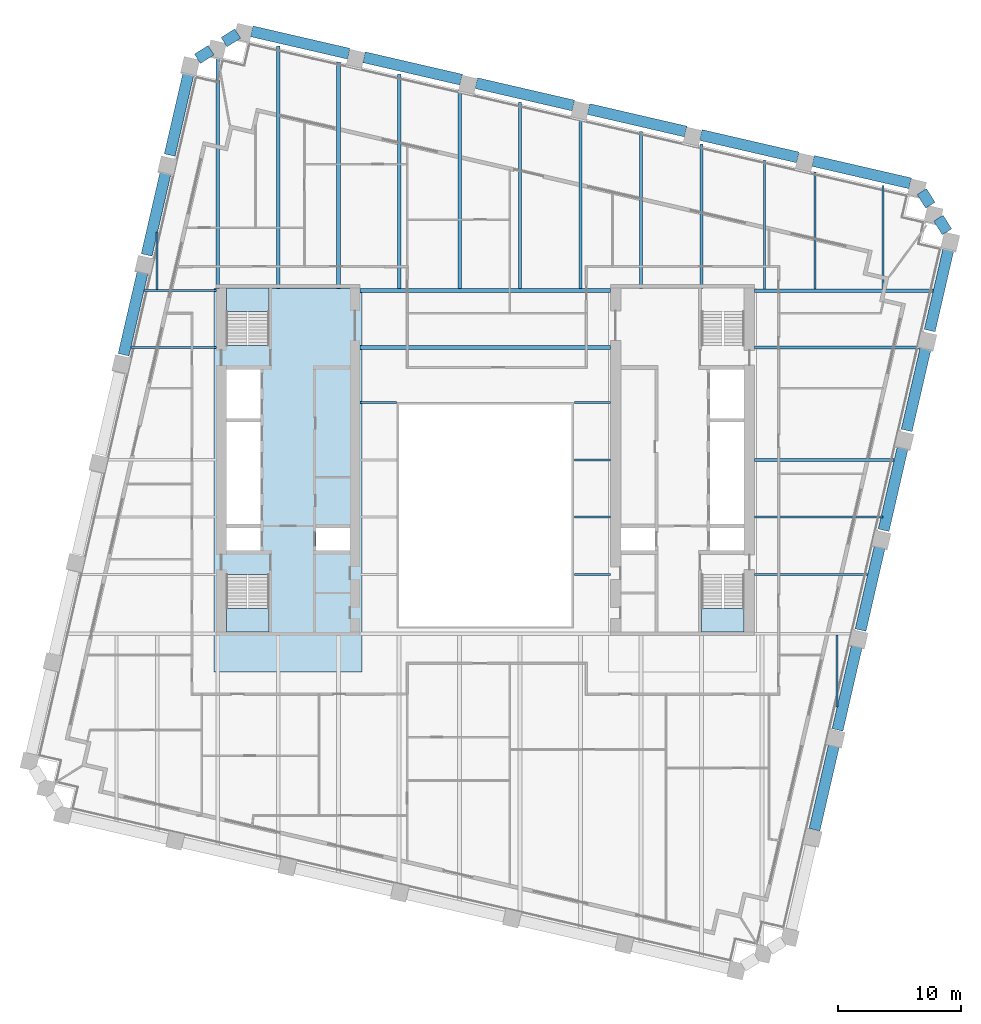
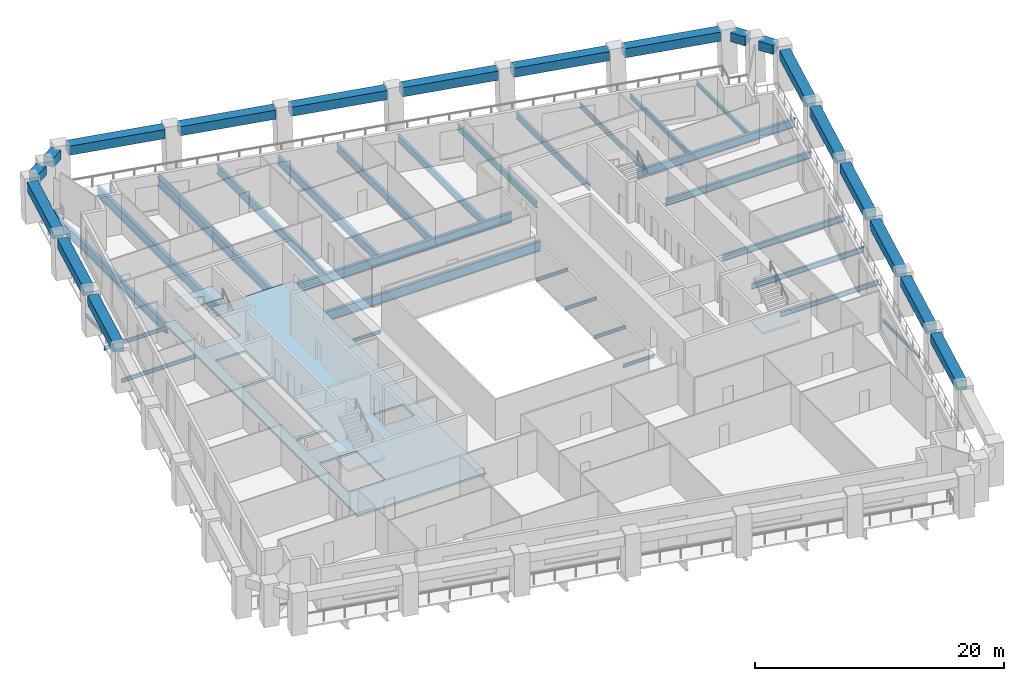
# One storey, part 2 of 11: 47 beams, 4 slabs, 3 elements without a shape of their own.
"""IFC4 building model written with IfcOpenShell, lengths in metres."""

from ifc_helpers import new_model, si_unit, direction, frame, origin, origin_2d, place, context, subcontext, project, spatial, polyline, rectangle, i_section, outline, extrude, material, layer, layer_set, material_profile, profile_set, type_object, element, aggregate, save


model = new_model("IFC4")

# Units and contexts
model_context = context("Model", 3, precision=1e-05, world=origin(), true_north=direction((0.0, 1.0)))
body_context = subcontext(model_context, "Body", "Model", "MODEL_VIEW")
ifc_project = project(units=[si_unit("LENGTHUNIT", "METRE"), si_unit("AREAUNIT", "SQUARE_METRE"), si_unit("VOLUMEUNIT", "CUBIC_METRE"), si_unit("PLANEANGLEUNIT", "RADIAN"), si_unit("MASSUNIT", "GRAM", prefix="KILO")], contexts=[model_context])

# Site, building, storey
site_placement = place(None, origin())
site = spatial("IfcSite", under=ifc_project, at=site_placement, CompositionType="ELEMENT")
building_placement = place(site_placement, origin())
building = spatial("IfcBuilding", under=site, at=building_placement, Name="Ogive Exchange Tower", CompositionType="ELEMENT")
storey_placement = place(building_placement, frame((0.0, 0.0, 135.0)))
storey = spatial("IfcBuildingStorey", under=building, at=storey_placement, Name="L29", CompositionType="ELEMENT", Elevation=135.0)

# Beams
ifc_material_1 = material(Name="Steel ASTM A992 Gr50", Category="steel")
ifc_material_profile_1 = material_profile(ifc_material_1, i_section(OverallWidth=0.300048828125, OverallDepth=0.969970703125, WebThickness=0.01611328125, FlangeThickness=0.02099609375, at=origin_2d()), Name="W1000x222")
ifc_profile_set_1 = profile_set([ifc_material_profile_1], Name="Steel ASTM A992 Gr50")
beam_type_1 = type_object("IfcBeamType", Name="Floor beam W1000x222", PredefinedType="JOIST", material=ifc_profile_set_1)
beam_1_placement = place(storey_placement, frame((-10.169921875, 20.62255859375, -0.68505859375), z_axis=(1.0, 0.0, 0.0), x_axis=(0.0, 1.0, 0.0)))
element("IfcBeam", 1, at=beam_1_placement, inside=storey, type_object=beam_type_1, Name="Floor beam", PredefinedType="JOIST", context=body_context, shape_type="SweptSolid", body=[
    extrude(i_section(OverallWidth=0.300048828125, OverallDepth=0.969970703125, WebThickness=0.01611328125, FlangeThickness=0.02099609375, at=origin_2d()), origin(), (0.0, 0.0, 1.0), 20.33984375),
])
beam_2_placement = place(storey_placement, frame((-16.8125, 25.39990234375, -0.68505859375), z_axis=(0.0, 1.0, 0.0), x_axis=(-1.0, 0.0, 0.0)))
element("IfcBeam", 2, at=beam_2_placement, inside=storey, type_object=beam_type_1, Name="Floor beam", PredefinedType="JOIST", context=body_context, shape_type="SweptSolid", body=[
    extrude(i_section(OverallWidth=0.300048828125, OverallDepth=0.969970703125, WebThickness=0.01611328125, FlangeThickness=0.02099609375, at=origin_2d()), origin(), (0.0, 0.0, 1.0), 19.685302734375),
])
ifc_material_profile_2 = material_profile(ifc_material_1, i_section(OverallWidth=0.1650390625, OverallDepth=0.31005859375, WebThickness=0.005859375, FlangeThickness=0.009765625, at=origin_2d()), Name="W310x38.7")
ifc_profile_set_2 = profile_set([ifc_material_profile_2], Name="Steel ASTM A992 Gr50")
beam_type_2 = type_object("IfcBeamType", Name="Floor beam W310x38.7", PredefinedType="JOIST", material=ifc_profile_set_2)
for number, where, z_axis, x_axis, name in (
    (3, (7.219970703125, 2.208740234375, -0.35498046875), (1.0, 0.0, 0.0), (0.0, 1.0, 0.0), "Floor beam"),
    (4, (7.219970703125, 6.857421875, -0.35498046875), (1.0, 0.0, 0.0), (0.0, 1.0, 0.0), "Floor beam"),
    (5, (7.219970703125, 11.50634765625, -0.35498046875), (1.0, 0.0, 0.0), (0.0, 1.0, 0.0), "Floor beam"),
):
    element("IfcBeam", number, at=place(storey_placement, frame(where, z_axis=z_axis, x_axis=x_axis)), inside=storey, type_object=beam_type_2, Name=name, PredefinedType="JOIST", context=body_context, shape_type="SweptSolid", body=[
        extrude(i_section(OverallWidth=0.1650390625, OverallDepth=0.31005859375, WebThickness=0.005859375, FlangeThickness=0.009765625, at=origin_2d()), origin(), (0.0, 0.0, 1.0), 2.949951171875),
    ])
beam_3_placement = place(storey_placement, frame((28.55029296875, -8.531982421875, -0.35498046875), z_axis=(0.0, 1.0, 0.0), x_axis=(-1.0, 0.0, 0.0)))
element("IfcBeam", 6, at=beam_3_placement, inside=storey, type_object=beam_type_2, Name="Floor beam", PredefinedType="JOIST", context=body_context, shape_type="SweptSolid", body=[
    extrude(i_section(OverallWidth=0.1650390625, OverallDepth=0.31005859375, WebThickness=0.005859375, FlangeThickness=0.009765625, at=origin_2d()), origin(), (0.0, 0.0, 1.0), 5.841552734375),
])
beam_4_placement = place(storey_placement, frame((-26.626220703125, 25.33056640625, -0.35498046875), z_axis=(0.0, 1.0, 0.0), x_axis=(-1.0, 0.0, 0.0)))
element("IfcBeam", 7, at=beam_4_placement, inside=storey, type_object=beam_type_2, Name="Floor beam", PredefinedType="JOIST", context=body_context, shape_type="SweptSolid", body=[
    extrude(i_section(OverallWidth=0.1650390625, OverallDepth=0.31005859375, WebThickness=0.005859375, FlangeThickness=0.009765625, at=origin_2d()), origin(), (0.0, 0.0, 1.0), 4.68505859375),
])
ifc_material_profile_3 = material_profile(ifc_material_1, i_section(OverallWidth=0.1708984375, OverallDepth=0.35595703125, WebThickness=0.00732421875, FlangeThickness=0.01171875, at=origin_2d()), Name="W360x51")
ifc_profile_set_3 = profile_set([ifc_material_profile_3], Name="Steel ASTM A992 Gr50")
beam_type_3 = type_object("IfcBeamType", Name="Floor beam W360x51", PredefinedType="JOIST", material=ifc_profile_set_3)
beam_5_placement = place(storey_placement, frame((-28.76025390625, 20.62255859375, -0.3779296875), z_axis=(1.0, 0.0, 0.0), x_axis=(0.0, 1.0, 0.0)))
element("IfcBeam", 8, at=beam_5_placement, inside=storey, type_object=beam_type_3, Name="Floor beam", PredefinedType="JOIST", context=body_context, shape_type="SweptSolid", body=[
    extrude(i_section(OverallWidth=0.1708984375, OverallDepth=0.35595703125, WebThickness=0.00732421875, FlangeThickness=0.01171875, at=origin_2d()), origin(), (0.0, 0.0, 1.0), 6.93017578125),
])
ifc_material_profile_4 = material_profile(ifc_material_1, i_section(OverallWidth=0.177978515625, OverallDepth=0.406005859375, WebThickness=0.0078125, FlangeThickness=0.0126953125, at=origin_2d()), Name="W410x60")
ifc_profile_set_4 = profile_set([ifc_material_profile_4], Name="Steel ASTM A992 Gr50")
beam_type_4 = type_object("IfcBeamType", Name="Floor beam W410x60", PredefinedType="JOIST", material=ifc_profile_set_4)
beam_6_placement = place(storey_placement, frame((32.257080078125, 25.39111328125, -0.403076171875), z_axis=(0.0, 1.0, 0.0), x_axis=(-1.0, 0.0, 0.0)))
element("IfcBeam", 9, at=beam_6_placement, inside=storey, type_object=beam_type_4, Name="Floor beam", PredefinedType="JOIST", context=body_context, shape_type="SweptSolid", body=[
    extrude(i_section(OverallWidth=0.177978515625, OverallDepth=0.406005859375, WebThickness=0.0078125, FlangeThickness=0.0126953125, at=origin_2d()), origin(), (0.0, 0.0, 1.0), 8.365478515625),
])
ifc_material_profile_5 = material_profile(ifc_material_1, i_section(OverallWidth=0.19091796875, OverallDepth=0.45703125, WebThickness=0.009033203125, FlangeThickness=0.014404296875, at=origin_2d()), Name="W460x74")
ifc_profile_set_5 = profile_set([ifc_material_profile_5], Name="Steel ASTM A992 Gr50")
beam_type_5 = type_object("IfcBeamType", Name="Floor beam W460x74", PredefinedType="JOIST", material=ifc_profile_set_5)
beam_7_placement = place(storey_placement, frame((21.830078125, 2.208740234375, -0.428466796875), z_axis=(1.0, 0.0, 0.0), x_axis=(0.0, 1.0, 0.0)))
element("IfcBeam", 10, at=beam_7_placement, inside=storey, type_object=beam_type_5, Name="Floor beam", PredefinedType="JOIST", context=body_context, shape_type="SweptSolid", body=[
    extrude(i_section(OverallWidth=0.19091796875, OverallDepth=0.45703125, WebThickness=0.009033203125, FlangeThickness=0.014404296875, at=origin_2d()), origin(), (0.0, 0.0, 1.0), 9.199951171875),
])
beam_8_placement = place(storey_placement, frame((26.750244140625, 25.39111328125, -0.428466796875), z_axis=(0.0, 1.0, 0.0), x_axis=(-1.0, 0.0, 0.0)))
element("IfcBeam", 11, at=beam_8_placement, inside=storey, type_object=beam_type_5, Name="Floor beam", PredefinedType="JOIST", context=body_context, shape_type="SweptSolid", body=[
    extrude(i_section(OverallWidth=0.19091796875, OverallDepth=0.45703125, WebThickness=0.009033203125, FlangeThickness=0.014404296875, at=origin_2d()), origin(), (0.0, 0.0, 1.0), 9.48681640625),
])
ifc_material_profile_6 = material_profile(ifc_material_1, i_section(OverallWidth=0.1669921875, OverallDepth=0.535888671875, WebThickness=0.01025390625, FlangeThickness=0.0166015625, at=origin_2d()), Name="W530x85")
ifc_profile_set_6 = profile_set([ifc_material_profile_6], Name="Steel ASTM A992 Gr50")
beam_type_6 = type_object("IfcBeamType", Name="Floor beam W530x85", PredefinedType="JOIST", material=ifc_profile_set_6)
beam_9_placement = place(storey_placement, frame((21.830078125, 6.857421875, -0.468017578125), z_axis=(1.0, 0.0, 0.0), x_axis=(0.0, 1.0, 0.0)))
element("IfcBeam", 12, at=beam_9_placement, inside=storey, type_object=beam_type_6, Name="Floor beam", PredefinedType="JOIST", context=body_context, shape_type="SweptSolid", body=[
    extrude(i_section(OverallWidth=0.1669921875, OverallDepth=0.535888671875, WebThickness=0.01025390625, FlangeThickness=0.0166015625, at=origin_2d()), origin(), (0.0, 0.0, 1.0), 10.423095703125),
])
beam_10_placement = place(storey_placement, frame((22.643310546875, 25.39111328125, -0.468017578125), z_axis=(0.0, 1.0, 0.0), x_axis=(-1.0, 0.0, 0.0)))
element("IfcBeam", 13, at=beam_10_placement, inside=storey, type_object=beam_type_6, Name="Floor beam", PredefinedType="JOIST", context=body_context, shape_type="SweptSolid", body=[
    extrude(i_section(OverallWidth=0.1669921875, OverallDepth=0.535888671875, WebThickness=0.01025390625, FlangeThickness=0.0166015625, at=origin_2d()), origin(), (0.0, 0.0, 1.0), 10.43505859375),
])
ifc_material_profile_7 = material_profile(ifc_material_1, i_section(OverallWidth=0.22802734375, OverallDepth=0.60205078125, WebThickness=0.010498046875, FlangeThickness=0.014892578125, at=origin_2d()), Name="W610x101")
ifc_profile_set_7 = profile_set([ifc_material_profile_7], Name="Steel ASTM A992 Gr50")
beam_type_7 = type_object("IfcBeamType", Name="Floor beam W610x101", PredefinedType="JOIST", material=ifc_profile_set_7)
beam_11_placement = place(storey_placement, frame((21.830078125, 11.50634765625, -0.5009765625), z_axis=(1.0, 0.0, 0.0), x_axis=(0.0, 1.0, 0.0)))
element("IfcBeam", 14, at=beam_11_placement, inside=storey, type_object=beam_type_7, Name="Floor beam", PredefinedType="JOIST", context=body_context, shape_type="SweptSolid", body=[
    extrude(i_section(OverallWidth=0.22802734375, OverallDepth=0.60205078125, WebThickness=0.010498046875, FlangeThickness=0.014892578125, at=origin_2d()), origin(), (0.0, 0.0, 1.0), 11.346435546875),
])
beam_12_placement = place(storey_placement, frame((17.536376953125, 25.39990234375, -0.5009765625), z_axis=(0.0, 1.0, 0.0), x_axis=(-1.0, 0.0, 0.0)))
element("IfcBeam", 15, at=beam_12_placement, inside=storey, type_object=beam_type_7, Name="Floor beam", PredefinedType="JOIST", context=body_context, shape_type="SweptSolid", body=[
    extrude(i_section(OverallWidth=0.22802734375, OverallDepth=0.60205078125, WebThickness=0.010498046875, FlangeThickness=0.014892578125, at=origin_2d()), origin(), (0.0, 0.0, 1.0), 11.75537109375),
])
ifc_material_profile_8 = material_profile(ifc_material_1, i_section(OverallWidth=0.22900390625, OverallDepth=0.612060546875, WebThickness=0.011962890625, FlangeThickness=0.01953125, at=origin_2d()), Name="W610x125")
ifc_profile_set_8 = profile_set([ifc_material_profile_8], Name="Steel ASTM A992 Gr50")
beam_type_8 = type_object("IfcBeamType", Name="Floor beam W610x125", PredefinedType="JOIST", material=ifc_profile_set_8)
beam_13_placement = place(storey_placement, frame((12.62939453125, 25.39990234375, -0.506103515625), z_axis=(0.0, 1.0, 0.0), x_axis=(-1.0, 0.0, 0.0)))
element("IfcBeam", 16, at=beam_13_placement, inside=storey, type_object=beam_type_8, Name="Floor beam", PredefinedType="JOIST", context=body_context, shape_type="SweptSolid", body=[
    extrude(i_section(OverallWidth=0.22900390625, OverallDepth=0.612060546875, WebThickness=0.011962890625, FlangeThickness=0.01953125, at=origin_2d()), origin(), (0.0, 0.0, 1.0), 12.73828125),
])
ifc_material_profile_9 = material_profile(ifc_material_1, i_section(OverallWidth=0.25390625, OverallDepth=0.677978515625, WebThickness=0.01171875, FlangeThickness=0.016357421875, at=origin_2d()), Name="W690x125")
ifc_profile_set_9 = profile_set([ifc_material_profile_9], Name="Steel ASTM A992 Gr50")
beam_type_9 = type_object("IfcBeamType", Name="Floor beam W690x125", PredefinedType="JOIST", material=ifc_profile_set_9)
beam_14_placement = place(storey_placement, frame((21.830078125, 20.62255859375, -0.5390625), z_axis=(1.0, 0.0, 0.0), x_axis=(0.0, 1.0, 0.0)))
element("IfcBeam", 17, at=beam_14_placement, inside=storey, type_object=beam_type_9, Name="Floor beam", PredefinedType="JOIST", context=body_context, shape_type="SweptSolid", body=[
    extrude(i_section(OverallWidth=0.25390625, OverallDepth=0.677978515625, WebThickness=0.01171875, FlangeThickness=0.016357421875, at=origin_2d()), origin(), (0.0, 0.0, 1.0), 13.450927734375),
])
beam_15_placement = place(storey_placement, frame((7.722412109375, 25.39501953125, -0.5390625), z_axis=(0.0, 1.0, 0.0), x_axis=(-1.0, 0.0, 0.0)))
element("IfcBeam", 18, at=beam_15_placement, inside=storey, type_object=beam_type_9, Name="Floor beam", PredefinedType="JOIST", context=body_context, shape_type="SweptSolid", body=[
    extrude(i_section(OverallWidth=0.25390625, OverallDepth=0.677978515625, WebThickness=0.01171875, FlangeThickness=0.016357421875, at=origin_2d()), origin(), (0.0, 0.0, 1.0), 13.8759765625),
])
ifc_material_profile_10 = material_profile(ifc_material_1, i_section(OverallWidth=0.26708984375, OverallDepth=0.75390625, WebThickness=0.01318359375, FlangeThickness=0.01708984375, at=origin_2d()), Name="W760x147")
ifc_profile_set_10 = profile_set([ifc_material_profile_10], Name="Steel ASTM A992 Gr50")
beam_type_10 = type_object("IfcBeamType", Name="Floor beam W760x147", PredefinedType="JOIST", material=ifc_profile_set_10)
beam_16_placement = place(storey_placement, frame((2.8154296875, 25.39501953125, -0.576904296875), z_axis=(0.0, 1.0, 0.0), x_axis=(-1.0, 0.0, 0.0)))
element("IfcBeam", 19, at=beam_16_placement, inside=storey, type_object=beam_type_10, Name="Floor beam", PredefinedType="JOIST", context=body_context, shape_type="SweptSolid", body=[
    extrude(i_section(OverallWidth=0.26708984375, OverallDepth=0.75390625, WebThickness=0.01318359375, FlangeThickness=0.01708984375, at=origin_2d()), origin(), (0.0, 0.0, 1.0), 15.15869140625),
])
ifc_material_profile_11 = material_profile(ifc_material_1, i_section(OverallWidth=0.2919921875, OverallDepth=0.8359375, WebThickness=0.013916015625, FlangeThickness=0.018798828125, at=origin_2d()), Name="W840x176")
ifc_profile_set_11 = profile_set([ifc_material_profile_11], Name="Steel ASTM A992 Gr50")
beam_type_11 = type_object("IfcBeamType", Name="Floor beam W840x176", PredefinedType="JOIST", material=ifc_profile_set_11)
beam_17_placement = place(storey_placement, frame((-6.99853515625, 25.39501953125, -0.617919921875), z_axis=(0.0, 1.0, 0.0), x_axis=(-1.0, 0.0, 0.0)))
element("IfcBeam", 20, at=beam_17_placement, inside=storey, type_object=beam_type_11, Name="Floor beam", PredefinedType="JOIST", context=body_context, shape_type="SweptSolid", body=[
    extrude(i_section(OverallWidth=0.2919921875, OverallDepth=0.8359375, WebThickness=0.013916015625, FlangeThickness=0.018798828125, at=origin_2d()), origin(), (0.0, 0.0, 1.0), 17.424560546875),
])
beam_18_placement = place(storey_placement, frame((-2.091552734375, 25.39501953125, -0.617919921875), z_axis=(0.0, 1.0, 0.0), x_axis=(-1.0, 0.0, 0.0)))
element("IfcBeam", 21, at=beam_18_placement, inside=storey, type_object=beam_type_11, Name="Floor beam", PredefinedType="JOIST", context=body_context, shape_type="SweptSolid", body=[
    extrude(i_section(OverallWidth=0.2919921875, OverallDepth=0.8359375, WebThickness=0.013916015625, FlangeThickness=0.018798828125, at=origin_2d()), origin(), (0.0, 0.0, 1.0), 16.1416015625),
])
ifc_material_profile_12 = material_profile(ifc_material_1, i_section(OverallWidth=0.304931640625, OverallDepth=0.904052734375, WebThickness=0.01513671875, FlangeThickness=0.02001953125, at=origin_2d()), Name="W920x201")
ifc_profile_set_12 = profile_set([ifc_material_profile_12], Name="Steel ASTM A992 Gr50")
beam_type_12 = type_object("IfcBeamType", Name="Floor beam W920x201", PredefinedType="JOIST", material=ifc_profile_set_12)
beam_19_placement = place(storey_placement, frame((-21.719482421875, 25.39990234375, -0.652099609375), z_axis=(0.0, 1.0, 0.0), x_axis=(-1.0, 0.0, 0.0)))
element("IfcBeam", 22, at=beam_19_placement, inside=storey, type_object=beam_type_12, Name="Floor beam", PredefinedType="JOIST", context=body_context, shape_type="SweptSolid", body=[
    extrude(i_section(OverallWidth=0.304931640625, OverallDepth=0.904052734375, WebThickness=0.01513671875, FlangeThickness=0.02001953125, at=origin_2d()), origin(), (0.0, 0.0, 1.0), 18.765625),
])
beam_20_placement = place(storey_placement, frame((-11.905517578125, 25.39990234375, -0.652099609375), z_axis=(0.0, 1.0, 0.0), x_axis=(-1.0, 0.0, 0.0)))
element("IfcBeam", 23, at=beam_20_placement, inside=storey, type_object=beam_type_12, Name="Floor beam", PredefinedType="JOIST", context=body_context, shape_type="SweptSolid", body=[
    extrude(i_section(OverallWidth=0.304931640625, OverallDepth=0.904052734375, WebThickness=0.01513671875, FlangeThickness=0.02001953125, at=origin_2d()), origin(), (0.0, 0.0, 1.0), 18.402587890625),
])
ifc_material_profile_13 = material_profile(ifc_material_1, i_section(OverallWidth=0.300048828125, OverallDepth=0.97998046875, WebThickness=0.0166015625, FlangeThickness=0.026123046875, at=origin_2d()), Name="W1000x249")
ifc_profile_set_13 = profile_set([ifc_material_profile_13], Name="Steel ASTM A992 Gr50")
beam_type_13 = type_object("IfcBeamType", Name="Girder W1000x249", PredefinedType="BEAM", material=ifc_profile_set_13)
beam_21_placement = place(storey_placement, frame((-10.169921875, 25.2451171875, -0.68994140625), z_axis=(1.0, 0.0, 0.0), x_axis=(0.0, 1.0, 0.0)))
element("IfcBeam", 24, at=beam_21_placement, inside=storey, type_object=beam_type_13, Name="Header girder", PredefinedType="BEAM", context=body_context, shape_type="SweptSolid", body=[
    extrude(i_section(OverallWidth=0.300048828125, OverallDepth=0.97998046875, WebThickness=0.0166015625, FlangeThickness=0.026123046875, at=origin_2d()), origin(), (0.0, 0.0, 1.0), 20.33984375),
])
ifc_material_profile_14 = material_profile(ifc_material_1, i_section(OverallWidth=0.1650390625, OverallDepth=0.31005859375, WebThickness=0.005859375, FlangeThickness=0.009765625, at=origin_2d()), Name="W310x38.7")
ifc_profile_set_14 = profile_set([ifc_material_profile_14], Name="Steel ASTM A992 Gr50")
beam_type_14 = type_object("IfcBeamType", Name="Girder W310x38.7", PredefinedType="BEAM", material=ifc_profile_set_14)
for number, where, z_axis, x_axis, name in (
    (25, (-10.169921875, 16.155029296875, -0.35498046875), (1.0, 0.0, 0.0), (0.0, 1.0, 0.0), "Trimmer girder"),
    (26, (7.219970703125, 16.155029296875, -0.35498046875), (1.0, 0.0, 0.0), (0.0, 1.0, 0.0), "Trimmer girder"),
):
    element("IfcBeam", number, at=place(storey_placement, frame(where, z_axis=z_axis, x_axis=x_axis)), inside=storey, type_object=beam_type_14, Name=name, PredefinedType="BEAM", context=body_context, shape_type="SweptSolid", body=[
        extrude(i_section(OverallWidth=0.1650390625, OverallDepth=0.31005859375, WebThickness=0.005859375, FlangeThickness=0.009765625, at=origin_2d()), origin(), (0.0, 0.0, 1.0), 2.949951171875),
    ])
ifc_material_profile_15 = material_profile(ifc_material_1, i_section(OverallWidth=0.1708984375, OverallDepth=0.35595703125, WebThickness=0.00732421875, FlangeThickness=0.01171875, at=origin_2d()), Name="W360x51")
ifc_profile_set_15 = profile_set([ifc_material_profile_15], Name="Steel ASTM A992 Gr50")
beam_type_15 = type_object("IfcBeamType", Name="Girder W360x51", PredefinedType="BEAM", material=ifc_profile_set_15)
beam_22_placement = place(storey_placement, frame((-27.693115234375, 25.2451171875, -0.3779296875), z_axis=(1.0, 0.0, 0.0), x_axis=(0.0, 1.0, 0.0)))
element("IfcBeam", 27, at=beam_22_placement, inside=storey, type_object=beam_type_15, Name="Header girder", PredefinedType="BEAM", context=body_context, shape_type="SweptSolid", body=[
    extrude(i_section(OverallWidth=0.1708984375, OverallDepth=0.35595703125, WebThickness=0.00732421875, FlangeThickness=0.01171875, at=origin_2d()), origin(), (0.0, 0.0, 1.0), 5.863037109375),
])
ifc_material_profile_16 = material_profile(ifc_material_1, i_section(OverallWidth=0.2919921875, OverallDepth=0.8359375, WebThickness=0.013916015625, FlangeThickness=0.018798828125, at=origin_2d()), Name="W840x176")
ifc_profile_set_16 = profile_set([ifc_material_profile_16], Name="Steel ASTM A992 Gr50")
beam_type_16 = type_object("IfcBeamType", Name="Girder W840x176", PredefinedType="BEAM", material=ifc_profile_set_16)
beam_23_placement = place(storey_placement, frame((21.830078125, 25.2451171875, -0.617919921875), z_axis=(1.0, 0.0, 0.0), x_axis=(0.0, 1.0, 0.0)))
element("IfcBeam", 28, at=beam_23_placement, inside=storey, type_object=beam_type_16, Name="Header girder", PredefinedType="BEAM", context=body_context, shape_type="SweptSolid", body=[
    extrude(i_section(OverallWidth=0.2919921875, OverallDepth=0.8359375, WebThickness=0.013916015625, FlangeThickness=0.018798828125, at=origin_2d()), origin(), (0.0, 0.0, 1.0), 14.668212890625),
])
ifc_material_2 = material(Name="Precast concrete C70/85 (limestone faced)", Category="masonry")
ifc_material_profile_17 = material_profile(ifc_material_2, rectangle(XDim=0.89990234375, YDim=0.89990234375, at=origin_2d()), Name="900 x 900")
ifc_profile_set_17 = profile_set([ifc_material_profile_17], Name="Precast concrete C70/85 (limestone faced)")
beam_type_17 = type_object("IfcBeamType", Name="Precast spandrel 900 x 900 C70/85", PredefinedType="SPANDREL", material=ifc_profile_set_17)
beam_24_placement = place(storey_placement, frame((26.709716796875, -18.5048828125, 3.5), z_axis=(0.224930281577, 0.974374860323, 0.0), x_axis=(-0.974374860323, 0.224930281577, 0.0)))
element("IfcBeam", 29, at=beam_24_placement, inside=storey, type_object=beam_type_17, Name="Spandrel 10", PredefinedType="SPANDREL", context=body_context, shape_type="SweptSolid", body=[
    extrude(rectangle(XDim=0.89990234375, YDim=0.89990234375, at=origin_2d()), origin(), (0.0, 0.0, 1.0), 7.053955078125),
])
beam_25_placement = place(storey_placement, frame((28.580078125, -10.40380859375, 3.5), z_axis=(0.224955554045, 0.974369025936, 0.0), x_axis=(-0.974369025936, 0.224955554045, 0.0)))
element("IfcBeam", 30, at=beam_25_placement, inside=storey, type_object=beam_type_17, Name="Spandrel 11", PredefinedType="SPANDREL", context=body_context, shape_type="SweptSolid", body=[
    extrude(rectangle(XDim=0.89990234375, YDim=0.89990234375, at=origin_2d()), origin(), (0.0, 0.0, 1.0), 7.054443359375),
])
beam_26_placement = place(storey_placement, frame((30.4501953125, -2.302490234375, 3.5), z_axis=(0.224963140132, 0.974367274482, 0.0), x_axis=(-0.974367274482, 0.224963140132, 0.0)))
element("IfcBeam", 31, at=beam_26_placement, inside=storey, type_object=beam_type_17, Name="Spandrel 12", PredefinedType="SPANDREL", context=body_context, shape_type="SweptSolid", body=[
    extrude(rectangle(XDim=0.89990234375, YDim=0.89990234375, at=origin_2d()), origin(), (0.0, 0.0, 1.0), 7.05419921875),
])
beam_27_placement = place(storey_placement, frame((32.320556640625, 5.798583984375, 3.5), z_axis=(0.224955554045, 0.974369025936, 0.0), x_axis=(-0.974369025936, 0.224955554045, 0.0)))
element("IfcBeam", 32, at=beam_27_placement, inside=storey, type_object=beam_type_17, Name="Spandrel 13", PredefinedType="SPANDREL", context=body_context, shape_type="SweptSolid", body=[
    extrude(rectangle(XDim=0.89990234375, YDim=0.89990234375, at=origin_2d()), origin(), (0.0, 0.0, 1.0), 7.054443359375),
])
beam_28_placement = place(storey_placement, frame((34.19091796875, 13.89990234375, 3.5), z_axis=(0.224963140132, 0.974367274482, 0.0), x_axis=(-0.974367274482, 0.224963140132, 0.0)))
element("IfcBeam", 33, at=beam_28_placement, inside=storey, type_object=beam_type_17, Name="Spandrel 14", PredefinedType="SPANDREL", context=body_context, shape_type="SweptSolid", body=[
    extrude(rectangle(XDim=0.89990234375, YDim=0.89990234375, at=origin_2d()), origin(), (0.0, 0.0, 1.0), 7.05419921875),
])
beam_29_placement = place(storey_placement, frame((36.061279296875, 22.0009765625, 3.5), z_axis=(0.224955554045, 0.974369025936, 0.0), x_axis=(-0.974369025936, 0.224955554045, 0.0)))
element("IfcBeam", 34, at=beam_29_placement, inside=storey, type_object=beam_type_17, Name="Spandrel 15", PredefinedType="SPANDREL", context=body_context, shape_type="SweptSolid", body=[
    extrude(rectangle(XDim=0.89990234375, YDim=0.89990234375, at=origin_2d()), origin(), (0.0, 0.0, 1.0), 7.054443359375),
])
for number, where, z_axis, x_axis, name in (
    (35, (37.461669921875, 30.013427734375, 3.5), (-0.529847842077, 0.848092721491, 0.0), (-0.848092721491, -0.529847842077, 0.0), "Spandrel 16"),
    (36, (36.11279296875, 32.17236328125, 3.5), (-0.530066093226, 0.847956329543, 0.0), (-0.847956329543, -0.530066093226, 0.0), "Spandrel 17"),
):
    element("IfcBeam", number, at=place(storey_placement, frame(where, z_axis=z_axis, x_axis=x_axis)), inside=storey, type_object=beam_type_17, Name=name, PredefinedType="SPANDREL", context=body_context, shape_type="SweptSolid", body=[
        extrude(rectangle(XDim=0.89990234375, YDim=0.89990234375, at=origin_2d()), origin(), (0.0, 0.0, 1.0), 1.30712890625),
    ])
for number, where, z_axis, x_axis, name in (
    (37, (34.47802734375, 33.947509765625, 3.5), (-0.974363722868, 0.224978522439, 0.0), (-0.224978522439, -0.974363722868, 0.0), "Spandrel 18"),
    (38, (25.36767578125, 36.05078125, 3.5), (-0.974363722868, 0.224978522439, 0.0), (-0.224978522439, -0.974363722868, 0.0), "Spandrel 19"),
    (39, (16.25732421875, 38.154296875, 3.5), (-0.974370337884, 0.224949871421, 0.0), (-0.224949871421, -0.974370337884, 0.0), "Spandrel 20"),
    (40, (7.14697265625, 40.257568359375, 3.5), (-0.974370337884, 0.224949871421, 0.0), (-0.224949871421, -0.974370337884, 0.0), "Spandrel 21"),
):
    element("IfcBeam", number, at=place(storey_placement, frame(where, z_axis=z_axis, x_axis=x_axis)), inside=storey, type_object=beam_type_17, Name=name, PredefinedType="SPANDREL", context=body_context, shape_type="SweptSolid", body=[
        extrude(rectangle(XDim=0.89990234375, YDim=0.89990234375, at=origin_2d()), origin(), (0.0, 0.0, 1.0), 8.08984375),
    ])
beam_30_placement = place(storey_placement, frame((-1.96337890625, 42.36083984375, 3.5), z_axis=(-0.974371864918, 0.224943256972, 0.0), x_axis=(-0.224943256972, -0.974371864918, 0.0)))
element("IfcBeam", 41, at=beam_30_placement, inside=storey, type_object=beam_type_17, Name="Spandrel 22", PredefinedType="SPANDREL", context=body_context, shape_type="SweptSolid", body=[
    extrude(rectangle(XDim=0.89990234375, YDim=0.89990234375, at=origin_2d()), origin(), (0.0, 0.0, 1.0), 8.090087890625),
])
beam_31_placement = place(storey_placement, frame((-11.07373046875, 44.464111328125, 3.5), z_axis=(-0.974370337884, 0.224949871421, 0.0), x_axis=(-0.224949871421, -0.974370337884, 0.0)))
element("IfcBeam", 42, at=beam_31_placement, inside=storey, type_object=beam_type_17, Name="Spandrel 23", PredefinedType="SPANDREL", context=body_context, shape_type="SweptSolid", body=[
    extrude(rectangle(XDim=0.89990234375, YDim=0.89990234375, at=origin_2d()), origin(), (0.0, 0.0, 1.0), 8.08984375),
])
for number, where, z_axis, x_axis, name in (
    (43, (-20.095458984375, 46.097412109375, 3.5), (-0.848040277303, -0.529931776808, 0.0), (0.529931776808, -0.848040277303, 0.0), "Spandrel 24"),
    (44, (-22.254150390625, 44.74853515625, 3.5), (-0.848092721491, -0.529847842077, 0.0), (0.529847842077, -0.848092721491, 0.0), "Spandrel 25"),
):
    element("IfcBeam", number, at=place(storey_placement, frame(where, z_axis=z_axis, x_axis=x_axis)), inside=storey, type_object=beam_type_17, Name=name, PredefinedType="SPANDREL", context=body_context, shape_type="SweptSolid", body=[
        extrude(rectangle(XDim=0.89990234375, YDim=0.89990234375, at=origin_2d()), origin(), (0.0, 0.0, 1.0), 1.30712890625),
    ])
for number, where, z_axis, x_axis, name in (
    (45, (-24.029541015625, 43.114013671875, 3.5), (-0.224955554045, -0.974369025936, 0.0), (0.974369025936, -0.224955554045, 0.0), "Spandrel 26"),
    (46, (-25.89990234375, 35.0126953125, 3.5), (-0.224955554045, -0.974369025936, 0.0), (0.974369025936, -0.224955554045, 0.0), "Spandrel 27"),
):
    element("IfcBeam", number, at=place(storey_placement, frame(where, z_axis=z_axis, x_axis=x_axis)), inside=storey, type_object=beam_type_17, Name=name, PredefinedType="SPANDREL", context=body_context, shape_type="SweptSolid", body=[
        extrude(rectangle(XDim=0.89990234375, YDim=0.89990234375, at=origin_2d()), origin(), (0.0, 0.0, 1.0), 7.054443359375),
    ])
beam_32_placement = place(storey_placement, frame((-27.770263671875, 26.91162109375, 3.5), z_axis=(-0.22492269648, -0.974376611279, 0.0), x_axis=(0.974376611279, -0.22492269648, 0.0)))
element("IfcBeam", 47, at=beam_32_placement, inside=storey, type_object=beam_type_17, Name="Spandrel 28", PredefinedType="SPANDREL", context=body_context, shape_type="SweptSolid", body=[
    extrude(rectangle(XDim=0.89990234375, YDim=0.89990234375, at=origin_2d()), origin(), (0.0, 0.0, 1.0), 7.05419921875),
])

# Slab
ifc_material_3 = material(Name="Concrete C70/85", Category="concrete")
ifc_layer_1 = layer(ifc_material_3, 0.199951171875)
ifc_layer_set_1 = layer_set([ifc_layer_1], Name="Core floor slab 200")
slab_type_1 = type_object("IfcSlabType", Name="Core floor slab 200", PredefinedType="FLOOR", material=ifc_layer_set_1)
slab_1_placement = place(storey_placement, frame((0.0, 0.0, -0.199951171875)))
element("IfcSlab", 48, at=slab_1_placement, inside=storey, type_object=slab_type_1, Name="Core floor slab", PredefinedType="FLOOR", context=body_context, shape_type="SweptSolid", body=[
    extrude(outline(polyline([(-10.0, 25.39990234375), (-10.0, -5.699951171875), (-22.0, -5.699951171875), (-22.0, 25.39990234375), (-21.0, 25.39990234375), (-21.0, 20.803955078125), (-17.550048828125, 20.803955078125), (-17.550048828125, 25.39990234375), (-10.0, 25.39990234375)]), holes=[polyline([(-17.550048828125, 2.196044921875), (-21.0, 2.196044921875), (-21.0, -2.449951171875), (-17.550048828125, -2.449951171875), (-17.550048828125, 2.196044921875)]), polyline([(-18.25, 5.992919921875), (-21.0, 5.992919921875), (-21.0, 4.14990234375), (-18.25, 4.14990234375), (-18.25, 5.992919921875)]), polyline([(-11.0, 5.992919921875), (-13.75, 5.992919921875), (-13.75, 4.14990234375), (-11.0, 4.14990234375), (-11.0, 5.992919921875)]), polyline([(-21.0, 14.564208984375), (-21.0, 6.29296875), (-18.25, 6.29296875), (-18.25, 14.564208984375), (-21.0, 14.564208984375)]), polyline([(-18.25, 18.85009765625), (-21.0, 18.85009765625), (-21.0, 14.8642578125), (-18.25, 14.8642578125), (-18.25, 18.85009765625)])]), origin(), (0.0, 0.0, 1.0), 0.199951171875),
])

# Stair, slab
ifc_material_4 = material(Name="Concrete C40/50", Category="concrete")
stair_type = type_object("IfcStairType", Name="Exit stair 1650 wide", PredefinedType="HALF_TURN_STAIR", material=ifc_material_4)
stair_1_placement = place(storey_placement, origin())
stair_1 = element("IfcStair", 49, at=stair_1_placement, inside=storey, type_object=stair_type, Name="L29 exit stair ST1", PredefinedType="HALF_TURN_STAIR")
ifc_layer_2 = layer(ifc_material_4, 0.199951171875)
ifc_layer_set_2 = layer_set([ifc_layer_2], Name="Stair landing 200 slab")
slab_type_2 = type_object("IfcSlabType", Name="Stair landing 200 slab", PredefinedType="LANDING", material=ifc_layer_set_2)
slab_2_placement = place(storey_placement, frame((0.0, 0.0, 1.89990234375)))
slab_2 = element("IfcSlab", 50, at=slab_2_placement, type_object=slab_type_2, Name="ST1 landing 1", PredefinedType="LANDING", context=body_context, shape_type="SweptSolid", body=[
    extrude(outline(polyline([(-21.0, -0.550048828125), (-21.0, -2.449951171875), (-17.550048828125, -2.449951171875), (-17.550048828125, -0.550048828125), (-21.0, -0.550048828125)])), origin(), (0.0, 0.0, 1.0), 0.2001953125),
])
aggregate(stair_1, [slab_2])

stair_2_placement = place(storey_placement, origin())
stair_2 = element("IfcStair", 51, at=stair_2_placement, inside=storey, type_object=stair_type, Name="L29 exit stair ST2", PredefinedType="HALF_TURN_STAIR")
slab_3_placement = place(storey_placement, frame((0.0, 0.0, 1.89990234375)))
slab_3 = element("IfcSlab", 52, at=slab_3_placement, type_object=slab_type_2, Name="ST2 landing 1", PredefinedType="LANDING", context=body_context, shape_type="SweptSolid", body=[
    extrude(outline(polyline([(-17.550048828125, 23.550048828125), (-17.550048828125, 25.449951171875), (-21.0, 25.449951171875), (-21.0, 23.550048828125), (-17.550048828125, 23.550048828125)])), origin(), (0.0, 0.0, 1.0), 0.2001953125),
])
aggregate(stair_2, [slab_3])

stair_3_placement = place(storey_placement, origin())
stair_3 = element("IfcStair", 53, at=stair_3_placement, inside=storey, type_object=stair_type, Name="L29 exit stair ST3", PredefinedType="HALF_TURN_STAIR")
slab_4_placement = place(storey_placement, frame((0.0, 0.0, 1.89990234375)))
slab_4 = element("IfcSlab", 54, at=slab_4_placement, type_object=slab_type_2, Name="ST3 landing 1", PredefinedType="LANDING", context=body_context, shape_type="SweptSolid", body=[
    extrude(outline(polyline([(17.550048828125, -0.550048828125), (17.550048828125, -2.449951171875), (21.0, -2.449951171875), (21.0, -0.550048828125), (17.550048828125, -0.550048828125)])), origin(), (0.0, 0.0, 1.0), 0.2001953125),
])
aggregate(stair_3, [slab_4])

save(model, "model.ifc")
